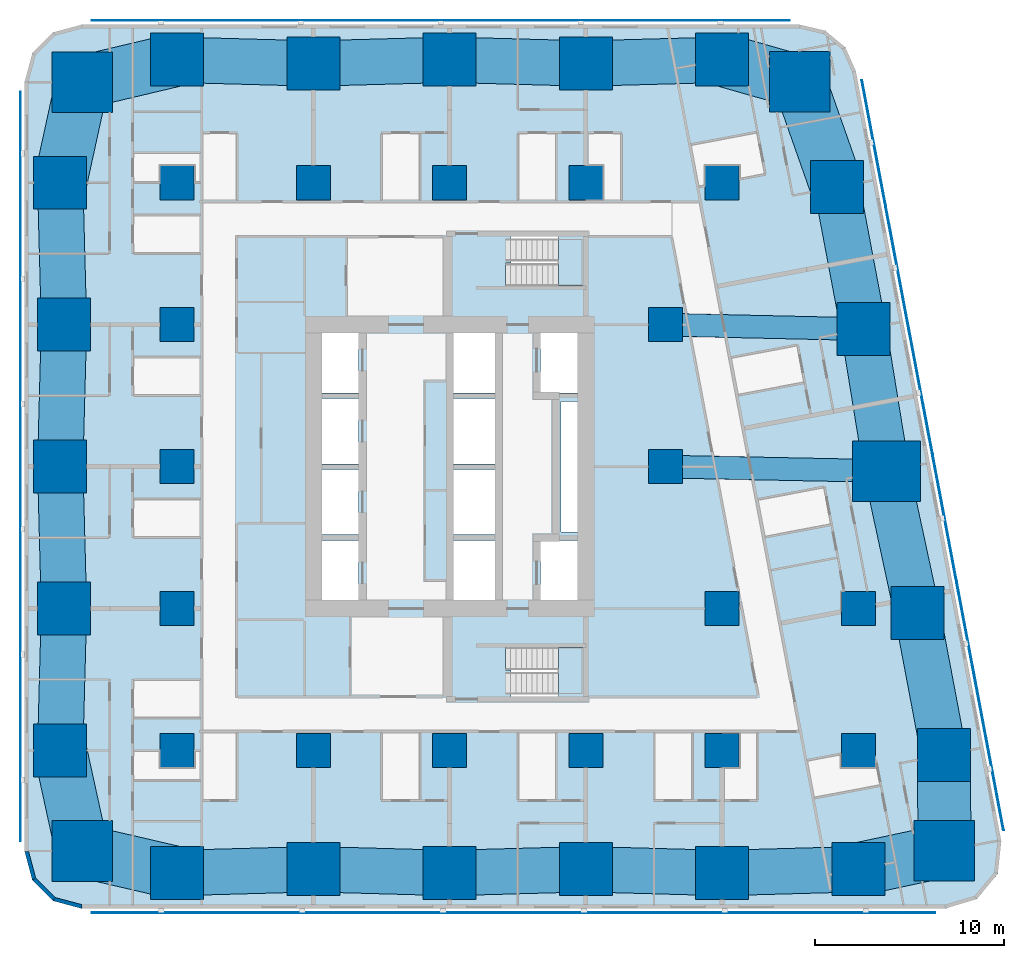
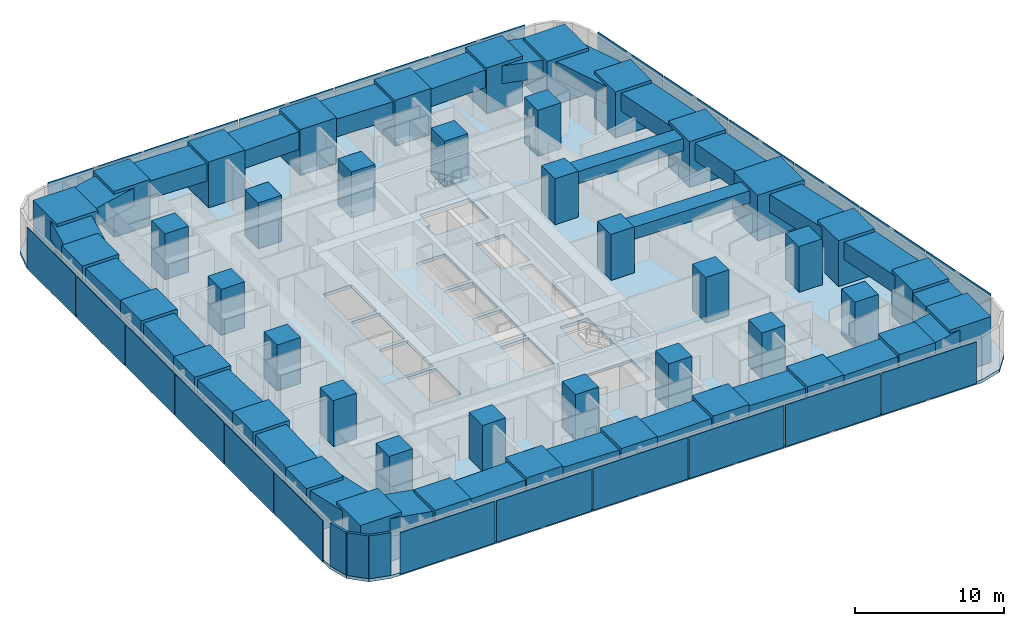
# One storey, part 1 of 15: 43 columns, 27 beams, 23 plates, 3 slabs, 3 walls, 2 elements without a shape of their own.
"""IFC4 building model written with IfcOpenShell, lengths in metres."""

from ifc_helpers import new_model, si_unit, direction, frame, frame_2d, origin, origin_2d, place, context, subcontext, project, spatial, polyline, rectangle, outline, extrude, material, layer, layer_set, material_profile, profile_set, type_object, element, aggregate, save


model = new_model("IFC4")

# Units and contexts
model_context = context("Model", 3, precision=1e-05, world=origin(), true_north=direction((0.0, 1.0)))
body_context = subcontext(model_context, "Body", "Model", "MODEL_VIEW")
ifc_project = project(units=[si_unit("LENGTHUNIT", "METRE"), si_unit("AREAUNIT", "SQUARE_METRE"), si_unit("VOLUMEUNIT", "CUBIC_METRE"), si_unit("PLANEANGLEUNIT", "RADIAN"), si_unit("MASSUNIT", "GRAM", prefix="KILO")], contexts=[model_context])

# Site, building, storey
site_placement = place(None, origin())
site = spatial("IfcSite", under=ifc_project, at=site_placement, CompositionType="ELEMENT")
building_placement = place(site_placement, origin())
building = spatial("IfcBuilding", under=site, at=building_placement, Name="Sheger Commons Tower", CompositionType="ELEMENT")
storey_placement = place(building_placement, frame((0.0, 0.0, 46.25)))
storey = spatial("IfcBuildingStorey", under=building, at=storey_placement, Name="L11", CompositionType="ELEMENT", Elevation=46.25)

# Columns
ifc_material_1 = material(Name="Concrete C50/60", Category="concrete")
ifc_material_profile_1 = material_profile(ifc_material_1, rectangle(XDim=3.60009765625, YDim=3.199951171875, at=origin_2d()), Name="RC 3600x3200")
ifc_profile_set_1 = profile_set([ifc_material_profile_1], Name="Concrete C50/60")
column_type_1 = type_object("IfcColumnType", Name="COLUMN PIER RC 3600x3200", PredefinedType="COLUMN", material=ifc_profile_set_1)
column_placement = place(storey_placement, frame((44.697021484375, 22.262939453125, 0.0), z_axis=(0.0, 0.0, 1.0), x_axis=(1.0, 0.0, 0.0)))
element("IfcColumn", 1, at=column_placement, inside=storey, type_object=column_type_1, Name="Pier 7/D+E/D L11", PredefinedType="COLUMN", context=body_context, shape_type="SweptSolid", body=[
    extrude(rectangle(XDim=3.60009765625, YDim=3.199951171875, at=origin_2d()), origin(), (0.0, 0.0, 1.0), 3.75),
])
ifc_material_2 = material(Name="Concrete C50/60", Category="concrete")
ifc_material_profile_2 = material_profile(ifc_material_2, rectangle(XDim=1.800048828125, YDim=1.800048828125, at=origin_2d()), Name="RC 1800x1800")
ifc_profile_set_2 = profile_set([ifc_material_profile_2], Name="Concrete C50/60")
column_type_2 = type_object("IfcColumnType", Name="COLUMN RC 1800x1800", PredefinedType="COLUMN", material=ifc_profile_set_2)
for number, where, z_axis, x_axis, name in (
    (2, (7.199951171875, 7.5, 0.0), (0.0, 0.0, 1.0), (1.0, 0.0, 0.0), "Column 2/B L11"),
    (3, (14.39990234375, 7.5, 0.0), (0.0, 0.0, 1.0), (1.0, 0.0, 0.0), "Column 3/B L11"),
    (4, (21.60009765625, 7.5, 0.0), (0.0, 0.0, 1.0), (1.0, 0.0, 0.0), "Column 4/B L11"),
    (5, (28.800048828125, 7.5, 0.0), (0.0, 0.0, 1.0), (1.0, 0.0, 0.0), "Column 5/B L11"),
    (6, (36.0, 7.5, 0.0), (0.0, 0.0, 1.0), (1.0, 0.0, 0.0), "Column 6/B L11"),
    (7, (43.199951171875, 7.5, 0.0), (0.0, 0.0, 1.0), (1.0, 0.0, 0.0), "Column 7/B L11"),
    (8, (7.199951171875, 15.0, 0.0), (0.0, 0.0, 1.0), (1.0, 0.0, 0.0), "Column 2/C L11"),
    (9, (36.0, 15.0, 0.0), (0.0, 0.0, 1.0), (1.0, 0.0, 0.0), "Column 6/C L11"),
    (10, (43.199951171875, 15.0, 0.0), (0.0, 0.0, 1.0), (1.0, 0.0, 0.0), "Column 7/C L11"),
    (11, (7.199951171875, 22.5, 0.0), (0.0, 0.0, 1.0), (1.0, 0.0, 0.0), "Column 2/D L11"),
    (12, (33.0, 22.5, 0.0), (0.0, 0.0, 1.0), (1.0, 0.0, 0.0), "Column 6-3000/D L11"),
    (13, (7.199951171875, 30.0, 0.0), (0.0, 0.0, 1.0), (1.0, 0.0, 0.0), "Column 2/E L11"),
    (14, (33.0, 30.0, 0.0), (0.0, 0.0, 1.0), (1.0, 0.0, 0.0), "Column 6-3000/E L11"),
    (15, (7.199951171875, 37.5, 0.0), (0.0, 0.0, 1.0), (1.0, 0.0, 0.0), "Column 2/F L11"),
    (16, (14.39990234375, 37.5, 0.0), (0.0, 0.0, 1.0), (1.0, 0.0, 0.0), "Column 3/F L11"),
    (17, (21.60009765625, 37.5, 0.0), (0.0, 0.0, 1.0), (1.0, 0.0, 0.0), "Column 4/F L11"),
    (18, (28.800048828125, 37.5, 0.0), (0.0, 0.0, 1.0), (1.0, 0.0, 0.0), "Column 5/F L11"),
    (19, (36.0, 37.5, 0.0), (0.0, 0.0, 1.0), (1.0, 0.0, 0.0), "Column 6/F L11"),
):
    element("IfcColumn", number, at=place(storey_placement, frame(where, z_axis=z_axis, x_axis=x_axis)), inside=storey, type_object=column_type_2, Name=name, PredefinedType="COLUMN", context=body_context, shape_type="SweptSolid", body=[
        extrude(rectangle(XDim=1.800048828125, YDim=1.800048828125, at=origin_2d()), origin(), (0.0, 0.0, 1.0), 3.75),
    ])
ifc_material_3 = material(Name="Concrete C50/60", Category="concrete")
ifc_material_profile_3 = material_profile(ifc_material_3, rectangle(XDim=2.800048828125, YDim=2.800048828125, at=origin_2d()), Name="RC 2800x2800")
ifc_profile_set_3 = profile_set([ifc_material_profile_3], Name="Concrete C50/60")
column_type_3 = type_object("IfcColumnType", Name="COLUMN RC 2800x2800", PredefinedType="COLUMN", material=ifc_profile_set_3)
for number, where, z_axis, x_axis, name in (
    (20, (7.199951171875, 1.02490234375, 0.0), (0.0, 0.0, 1.0), (1.0, 0.0, 0.0), "Column 2/A L11"),
    (21, (14.39990234375, 1.22509765625, 0.0), (0.0, 0.0, 1.0), (1.0, 0.0, 0.0), "Column 3/A L11"),
    (22, (21.60009765625, 1.02490234375, 0.0), (0.0, 0.0, 1.0), (1.0, 0.0, 0.0), "Column 4/A L11"),
    (23, (28.800048828125, 1.22509765625, 0.0), (0.0, 0.0, 1.0), (1.0, 0.0, 0.0), "Column 5/A L11"),
    (24, (36.0, 1.02490234375, 0.0), (0.0, 0.0, 1.0), (1.0, 0.0, 0.0), "Column 6/A L11"),
    (25, (43.199951171875, 1.22509765625, 0.0), (0.0, 0.0, 1.0), (1.0, 0.0, 0.0), "Column 7/A L11"),
    (26, (1.02490234375, 7.5, 0.0), (0.0, 0.0, 1.0), (1.0, 0.0, 0.0), "Column 1/B L11"),
    (27, (47.72998046875, 7.262939453125, 0.0), (0.0, 0.0, 1.0), (1.0, 0.0, 0.0), "Column E/B L11"),
    (28, (1.22509765625, 15.0, 0.0), (0.0, 0.0, 1.0), (1.0, 0.0, 0.0), "Column 1/C L11"),
    (29, (46.31396484375, 14.762939453125, 0.0), (0.0, 0.0, 1.0), (1.0, 0.0, 0.0), "Column E/C L11"),
    (30, (1.02490234375, 22.5, 0.0), (0.0, 0.0, 1.0), (1.0, 0.0, 0.0), "Column 1/D L11"),
    (31, (1.22509765625, 30.0, 0.0), (0.0, 0.0, 1.0), (1.0, 0.0, 0.0), "Column 1/E L11"),
    (32, (43.47998046875, 29.762939453125, 0.0), (0.0, 0.0, 1.0), (1.0, 0.0, 0.0), "Column E/E L11"),
    (33, (1.02490234375, 37.5, 0.0), (0.0, 0.0, 1.0), (1.0, 0.0, 0.0), "Column 1/F L11"),
    (34, (42.06396484375, 37.262939453125, 0.0), (0.0, 0.0, 1.0), (1.0, 0.0, 0.0), "Column E/F L11"),
    (35, (7.199951171875, 44.0, 0.0), (0.0, 0.0, 1.0), (1.0, 0.0, 0.0), "Column 2/G L11"),
    (36, (14.39990234375, 43.800048828125, 0.0), (0.0, 0.0, 1.0), (1.0, 0.0, 0.0), "Column 3/G L11"),
    (37, (21.60009765625, 44.0, 0.0), (0.0, 0.0, 1.0), (1.0, 0.0, 0.0), "Column 4/G L11"),
    (38, (28.800048828125, 43.800048828125, 0.0), (0.0, 0.0, 1.0), (1.0, 0.0, 0.0), "Column 5/G L11"),
    (39, (36.0, 44.0, 0.0), (0.0, 0.0, 1.0), (1.0, 0.0, 0.0), "Column 6/G L11"),
):
    element("IfcColumn", number, at=place(storey_placement, frame(where, z_axis=z_axis, x_axis=x_axis)), inside=storey, type_object=column_type_3, Name=name, PredefinedType="COLUMN", context=body_context, shape_type="SweptSolid", body=[
        extrude(rectangle(XDim=2.800048828125, YDim=2.800048828125, at=origin_2d()), origin(), (0.0, 0.0, 1.0), 3.75),
    ])
ifc_material_4 = material(Name="Concrete C50/60", Category="concrete")
ifc_material_profile_4 = material_profile(ifc_material_4, rectangle(XDim=3.199951171875, YDim=3.199951171875, at=origin_2d()), Name="RC 3200x3200")
ifc_profile_set_4 = profile_set([ifc_material_profile_4], Name="Concrete C50/60")
column_type_4 = type_object("IfcColumnType", Name="COLUMN RC 3200x3200", PredefinedType="COLUMN", material=ifc_profile_set_4)
for number, where, z_axis, x_axis, name in (
    (40, (2.18603515625, 2.18603515625, 0.0), (0.0, 0.0, 1.0), (1.0, 0.0, 0.0), "Column 0.630,0.630 L11"),
    (41, (47.748046875, 2.197021484375, 0.0), (0.0, 0.0, 1.0), (1.0, 0.0, 0.0), "Column 49.461,0.778 L11"),
    (42, (2.18603515625, 42.81396484375, 0.0), (0.0, 0.0, 1.0), (1.0, 0.0, 0.0), "Column 0.630,44.370 L11"),
    (43, (40.10205078125, 42.830078125, 0.0), (0.0, 0.0, 1.0), (1.0, 0.0, 0.0), "Column 41.490,44.505 L11"),
):
    element("IfcColumn", number, at=place(storey_placement, frame(where, z_axis=z_axis, x_axis=x_axis)), inside=storey, type_object=column_type_4, Name=name, PredefinedType="COLUMN", context=body_context, shape_type="SweptSolid", body=[
        extrude(rectangle(XDim=3.199951171875, YDim=3.199951171875, at=origin_2d()), origin(), (0.0, 0.0, 1.0), 3.75),
    ])

# Beams
ifc_material_5 = material(Name="Concrete C50/60", Category="concrete")
ifc_material_profile_5 = material_profile(ifc_material_5, rectangle(XDim=1.199951171875, YDim=1.0, at=origin_2d()), Name="RC 1200x1000")
ifc_profile_set_5 = profile_set([ifc_material_profile_5], Name="Concrete C50/60")
beam_type_1 = type_object("IfcBeamType", Name="BEAM RC 1200x1000", PredefinedType="BEAM", material=ifc_profile_set_5)
beam_1_placement = place(storey_placement, frame((33.0, 22.5, 3.0), z_axis=(0.999794692776, -0.02026258368, 0.0), x_axis=(0.02026258368, 0.999794692776, 0.0)))
element("IfcBeam", 44, at=beam_1_placement, inside=storey, type_object=beam_type_1, Name="Beam 6-3000/D-7/D under L12", PredefinedType="BEAM", context=body_context, shape_type="SweptSolid", body=[
    extrude(rectangle(XDim=1.199951171875, YDim=1.0, at=origin_2d()), origin(), (0.0, 0.0, 1.0), 11.699462890625),
])
beam_2_placement = place(storey_placement, frame((33.0, 30.0, 3.0), z_axis=(0.999744258625, -0.022614538395, 0.0), x_axis=(0.022614538395, 0.999744258625, 0.0)))
element("IfcBeam", 45, at=beam_2_placement, inside=storey, type_object=beam_type_1, Name="Beam 6-3000/E-E/E under L12", PredefinedType="BEAM", context=body_context, shape_type="SweptSolid", body=[
    extrude(rectangle(XDim=1.199951171875, YDim=1.0, at=origin_2d()), origin(), (0.0, 0.0, 1.0), 10.482666015625),
])
ifc_material_6 = material(Name="Concrete C50/60", Category="concrete")
ifc_material_profile_6 = material_profile(ifc_material_6, rectangle(XDim=2.39990234375, YDim=1.449951171875, at=origin_2d()), Name="RC 2400x1450")
ifc_profile_set_6 = profile_set([ifc_material_profile_6], Name="Concrete C50/60")
beam_type_2 = type_object("IfcBeamType", Name="SPANDREL RC 2400x1450", PredefinedType="SPANDREL", material=ifc_profile_set_6)
beam_3_placement = place(storey_placement, frame((7.199951171875, 1.02490234375, 2.77490234375), z_axis=(0.9996136624, 0.027794350926, 0.0), x_axis=(-0.027794350926, 0.9996136624, 0.0)))
element("IfcBeam", 46, at=beam_3_placement, inside=storey, type_object=beam_type_2, Name="Beam 2/A-3/A under L12", PredefinedType="SPANDREL", context=body_context, shape_type="SweptSolid", body=[
    extrude(rectangle(XDim=2.39990234375, YDim=1.449951171875, at=origin_2d()), origin(), (0.0, 0.0, 1.0), 7.20263671875),
])
beam_4_placement = place(storey_placement, frame((14.39990234375, 1.22509765625, 2.77490234375), z_axis=(0.999613688584, -0.027793409217, 0.0), x_axis=(0.027793409217, 0.999613688584, 0.0)))
element("IfcBeam", 47, at=beam_4_placement, inside=storey, type_object=beam_type_2, Name="Beam 3/A-4/A under L12", PredefinedType="SPANDREL", context=body_context, shape_type="SweptSolid", body=[
    extrude(rectangle(XDim=2.39990234375, YDim=1.449951171875, at=origin_2d()), origin(), (0.0, 0.0, 1.0), 7.202880859375),
])
for number, where, z_axis, x_axis, name in (
    (48, (21.60009765625, 1.02490234375, 2.77490234375), (0.9996136624, 0.027794350926, 0.0), (-0.027794350926, 0.9996136624, 0.0), "Beam 4/A-5/A under L12"),
    (49, (28.800048828125, 1.22509765625, 2.77490234375), (0.9996136624, -0.027794350926, 0.0), (0.027794350926, 0.9996136624, 0.0), "Beam 5/A-6/A under L12"),
    (50, (36.0, 1.02490234375, 2.77490234375), (0.9996136624, 0.027794350926, 0.0), (-0.027794350926, 0.9996136624, 0.0), "Beam 6/A-7/A under L12"),
):
    element("IfcBeam", number, at=place(storey_placement, frame(where, z_axis=z_axis, x_axis=x_axis)), inside=storey, type_object=beam_type_2, Name=name, PredefinedType="SPANDREL", context=body_context, shape_type="SweptSolid", body=[
        extrude(rectangle(XDim=2.39990234375, YDim=1.449951171875, at=origin_2d()), origin(), (0.0, 0.0, 1.0), 7.20263671875),
    ])
beam_5_placement = place(storey_placement, frame((47.72998046875, 7.262939453125, 2.77490234375), z_axis=(-0.18552441405, 0.982639655108, 0.0), x_axis=(-0.982639655108, -0.18552441405, 0.0)))
element("IfcBeam", 51, at=beam_5_placement, inside=storey, type_object=beam_type_2, Name="Beam E/B-E/C under L12", PredefinedType="SPANDREL", context=body_context, shape_type="SweptSolid", body=[
    extrude(rectangle(XDim=2.39990234375, YDim=1.449951171875, at=origin_2d()), origin(), (0.0, 0.0, 1.0), 7.632568359375),
])
beam_6_placement = place(storey_placement, frame((46.31396484375, 14.762939453125, 2.77490234375), z_axis=(-0.210750229323, 0.977539943348, 0.0), x_axis=(-0.977539943348, -0.210750229323, 0.0)))
element("IfcBeam", 52, at=beam_6_placement, inside=storey, type_object=beam_type_2, Name="Beam E/C-E/D under L12", PredefinedType="SPANDREL", context=body_context, shape_type="SweptSolid", body=[
    extrude(rectangle(XDim=2.39990234375, YDim=1.449951171875, at=origin_2d()), origin(), (0.0, 0.0, 1.0), 7.67236328125),
])
beam_7_placement = place(storey_placement, frame((44.697021484375, 22.262939453125, 2.77490234375), z_axis=(-0.160176929512, 0.987088319884, 0.0), x_axis=(-0.987088319884, -0.160176929512, 0.0)))
element("IfcBeam", 53, at=beam_7_placement, inside=storey, type_object=beam_type_2, Name="Beam E/D-E/E under L12", PredefinedType="SPANDREL", context=body_context, shape_type="SweptSolid", body=[
    extrude(rectangle(XDim=2.39990234375, YDim=1.449951171875, at=origin_2d()), origin(), (0.0, 0.0, 1.0), 7.59814453125),
])
beam_8_placement = place(storey_placement, frame((43.47998046875, 29.762939453125, 2.77490234375), z_axis=(-0.18552441405, 0.982639655108, 0.0), x_axis=(-0.982639655108, -0.18552441405, 0.0)))
element("IfcBeam", 54, at=beam_8_placement, inside=storey, type_object=beam_type_2, Name="Beam E/E-E/F under L12", PredefinedType="SPANDREL", context=body_context, shape_type="SweptSolid", body=[
    extrude(rectangle(XDim=2.39990234375, YDim=1.449951171875, at=origin_2d()), origin(), (0.0, 0.0, 1.0), 7.632568359375),
])
for number, where, z_axis, x_axis, name in (
    (55, (36.0, 44.0, 2.77490234375), (-0.999614603568, -0.027760481514, 0.0), (0.027760481514, -0.999614603568, 0.0), "Beam 6/G-5/G under L12"),
    (56, (28.800048828125, 43.800048828125, 2.77490234375), (-0.999614603568, 0.027760481514, 0.0), (-0.027760481514, -0.999614603568, 0.0), "Beam 5/G-4/G under L12"),
):
    element("IfcBeam", number, at=place(storey_placement, frame(where, z_axis=z_axis, x_axis=x_axis)), inside=storey, type_object=beam_type_2, Name=name, PredefinedType="SPANDREL", context=body_context, shape_type="SweptSolid", body=[
        extrude(rectangle(XDim=2.39990234375, YDim=1.449951171875, at=origin_2d()), origin(), (0.0, 0.0, 1.0), 7.20263671875),
    ])
beam_9_placement = place(storey_placement, frame((21.60009765625, 44.0, 2.77490234375), z_axis=(-0.999614629688, -0.027759540951, 0.0), x_axis=(0.027759540951, -0.999614629688, 0.0)))
element("IfcBeam", 57, at=beam_9_placement, inside=storey, type_object=beam_type_2, Name="Beam 4/G-3/G under L12", PredefinedType="SPANDREL", context=body_context, shape_type="SweptSolid", body=[
    extrude(rectangle(XDim=2.39990234375, YDim=1.449951171875, at=origin_2d()), origin(), (0.0, 0.0, 1.0), 7.202880859375),
])
beam_10_placement = place(storey_placement, frame((14.39990234375, 43.800048828125, 2.77490234375), z_axis=(-0.999614603568, 0.027760481514, 0.0), x_axis=(-0.027760481514, -0.999614603568, 0.0)))
element("IfcBeam", 58, at=beam_10_placement, inside=storey, type_object=beam_type_2, Name="Beam 3/G-2/G under L12", PredefinedType="SPANDREL", context=body_context, shape_type="SweptSolid", body=[
    extrude(rectangle(XDim=2.39990234375, YDim=1.449951171875, at=origin_2d()), origin(), (0.0, 0.0, 1.0), 7.20263671875),
])
for number, where, z_axis, x_axis, name in (
    (59, (1.02490234375, 37.5, 2.77490234375), (0.026683204125, -0.999643939919, 0.0), (0.999643939919, 0.026683204125, 0.0), "Beam 1/F-1/E under L12"),
    (60, (1.22509765625, 30.0, 2.77490234375), (-0.026683204125, -0.999643939919, 0.0), (0.999643939919, -0.026683204125, 0.0), "Beam 1/E-1/D under L12"),
    (61, (1.02490234375, 22.5, 2.77490234375), (0.026683204125, -0.999643939919, 0.0), (0.999643939919, 0.026683204125, 0.0), "Beam 1/D-1/C under L12"),
    (62, (1.22509765625, 15.0, 2.77490234375), (-0.026683204125, -0.999643939919, 0.0), (0.999643939919, -0.026683204125, 0.0), "Beam 1/C-1/B under L12"),
):
    element("IfcBeam", number, at=place(storey_placement, frame(where, z_axis=z_axis, x_axis=x_axis)), inside=storey, type_object=beam_type_2, Name=name, PredefinedType="SPANDREL", context=body_context, shape_type="SweptSolid", body=[
        extrude(rectangle(XDim=2.39990234375, YDim=1.449951171875, at=origin_2d()), origin(), (0.0, 0.0, 1.0), 7.502685546875),
    ])
ifc_material_7 = material(Name="Concrete C50/60", Category="concrete")
ifc_material_profile_7 = material_profile(ifc_material_7, rectangle(XDim=2.800048828125, YDim=1.449951171875, at=origin_2d()), Name="RC 2800x1450")
ifc_profile_set_7 = profile_set([ifc_material_profile_7], Name="Concrete C50/60")
beam_type_3 = type_object("IfcBeamType", Name="SPANDREL RC 2800x1450", PredefinedType="SPANDREL", material=ifc_profile_set_7)
beam_11_placement = place(storey_placement, frame((2.18603515625, 2.18603515625, 2.77490234375), z_axis=(0.974217413499, -0.225611239159, 0.0), x_axis=(0.225611239159, 0.974217413499, 0.0)))
element("IfcBeam", 63, at=beam_11_placement, inside=storey, type_object=beam_type_3, Name="Beam 0.630,0.630-2/A under L12", PredefinedType="SPANDREL", context=body_context, shape_type="SweptSolid", body=[
    extrude(rectangle(XDim=2.800048828125, YDim=1.449951171875, at=origin_2d()), origin(), (0.0, 0.0, 1.0), 5.146728515625),
])
beam_12_placement = place(storey_placement, frame((43.199951171875, 1.22509765625, 2.77490234375), z_axis=(0.977919796671, 0.208980552394, 0.0), x_axis=(-0.208980552394, 0.977919796671, 0.0)))
element("IfcBeam", 64, at=beam_12_placement, inside=storey, type_object=beam_type_3, Name="Beam 7/A-49.461,0.778 under L12", PredefinedType="SPANDREL", context=body_context, shape_type="SweptSolid", body=[
    extrude(rectangle(XDim=2.800048828125, YDim=1.449951171875, at=origin_2d()), origin(), (0.0, 0.0, 1.0), 4.65087890625),
])
beam_13_placement = place(storey_placement, frame((47.748046875, 2.197021484375, 2.77490234375), z_axis=(-0.003566242382, 0.999993640937, 0.0), x_axis=(-0.999993640937, -0.003566242382, 0.0)))
element("IfcBeam", 65, at=beam_13_placement, inside=storey, type_object=beam_type_3, Name="Beam 49.461,0.778-E/B under L12", PredefinedType="SPANDREL", context=body_context, shape_type="SweptSolid", body=[
    extrude(rectangle(XDim=2.800048828125, YDim=1.449951171875, at=origin_2d()), origin(), (0.0, 0.0, 1.0), 5.06591796875),
])
beam_14_placement = place(storey_placement, frame((42.06396484375, 37.262939453125, 2.77490234375), z_axis=(-0.332374403357, 0.943147526102, 0.0), x_axis=(-0.943147526102, -0.332374403357, 0.0)))
element("IfcBeam", 66, at=beam_14_placement, inside=storey, type_object=beam_type_3, Name="Beam E/F-41.490,44.505 under L12", PredefinedType="SPANDREL", context=body_context, shape_type="SweptSolid", body=[
    extrude(rectangle(XDim=2.800048828125, YDim=1.449951171875, at=origin_2d()), origin(), (0.0, 0.0, 1.0), 5.90283203125),
])
beam_15_placement = place(storey_placement, frame((40.10205078125, 42.830078125, 2.77490234375), z_axis=(-0.961653428129, 0.274267541221, 0.0), x_axis=(-0.274267541221, -0.961653428129, 0.0)))
element("IfcBeam", 67, at=beam_15_placement, inside=storey, type_object=beam_type_3, Name="Beam 41.490,44.505-6/G under L12", PredefinedType="SPANDREL", context=body_context, shape_type="SweptSolid", body=[
    extrude(rectangle(XDim=2.800048828125, YDim=1.449951171875, at=origin_2d()), origin(), (0.0, 0.0, 1.0), 4.265625),
])
beam_16_placement = place(storey_placement, frame((7.199951171875, 44.0, 2.77490234375), z_axis=(-0.97314428949, -0.230195985701, 0.0), x_axis=(0.230195985701, -0.97314428949, 0.0)))
element("IfcBeam", 68, at=beam_16_placement, inside=storey, type_object=beam_type_3, Name="Beam 2/G-0.630,44.370 under L12", PredefinedType="SPANDREL", context=body_context, shape_type="SweptSolid", body=[
    extrude(rectangle(XDim=2.800048828125, YDim=1.449951171875, at=origin_2d()), origin(), (0.0, 0.0, 1.0), 5.15234375),
])
for number, where, z_axis, x_axis, name in (
    (69, (2.18603515625, 42.81396484375, 2.77490234375), (-0.213469314652, -0.976949769283, 0.0), (0.976949769283, -0.213469314652, 0.0), "Beam 0.630,44.370-1/F under L12"),
    (70, (1.02490234375, 7.5, 2.77490234375), (0.213469314652, -0.976949769283, 0.0), (0.976949769283, 0.213469314652, 0.0), "Beam 1/B-0.630,0.630 under L12"),
):
    element("IfcBeam", number, at=place(storey_placement, frame(where, z_axis=z_axis, x_axis=x_axis)), inside=storey, type_object=beam_type_3, Name=name, PredefinedType="SPANDREL", context=body_context, shape_type="SweptSolid", body=[
        extrude(rectangle(XDim=2.800048828125, YDim=1.449951171875, at=origin_2d()), origin(), (0.0, 0.0, 1.0), 5.439453125),
    ])

# Slab
ifc_material_8 = material(Name="Concrete C35/45", Category="concrete")
ifc_layer_1 = layer(ifc_material_8, 0.25)
ifc_layer_set_1 = layer_set([ifc_layer_1], Name="SLAB FLOOR 250")
slab_type_1 = type_object("IfcSlabType", Name="SLAB FLOOR 250", PredefinedType="FLOOR", material=ifc_layer_set_1)
slab_1_placement = place(storey_placement, frame((0.0, 0.0, -0.25)))
element("IfcSlab", 71, at=slab_1_placement, inside=storey, type_object=slab_type_1, Name="L11 floor slab", PredefinedType="FLOOR", context=body_context, shape_type="SweptSolid", body=[
    extrude(outline(polyline([(-0.85009765625, 2.14990234375), (-0.447998046875, 0.64990234375), (0.64990234375, -0.447998046875), (2.14990234375, -0.85009765625), (47.805908203125, -0.85009765625), (49.465087890625, -0.35009765625), (50.570068359375, 0.98388671875), (50.75390625, 2.70703125), (43.06591796875, 43.406982421875), (42.509033203125, 44.660888671875), (41.452880859375, 45.535888671875), (40.117919921875, 45.85009765625), (2.14990234375, 45.85009765625), (0.64990234375, 45.447998046875), (-0.447998046875, 44.35009765625), (-0.85009765625, 42.85009765625), (-0.85009765625, 2.14990234375)]), holes=[polyline([(24.85009765625, 10.35009765625), (28.64990234375, 10.35009765625), (28.64990234375, 12.949951171875), (24.551025390625, 12.949951171875), (24.551025390625, 11.75), (24.85009765625, 11.75), (24.85009765625, 10.35009765625)]), polyline([(24.551025390625, 32.050048828125), (28.64990234375, 32.050048828125), (28.64990234375, 34.64990234375), (24.85009765625, 34.64990234375), (24.85009765625, 33.25), (24.551025390625, 33.25), (24.551025390625, 32.050048828125)]), polyline([(26.39990234375, 15.14990234375), (28.60009765625, 15.14990234375), (28.60009765625, 18.60009765625), (26.39990234375, 18.60009765625), (26.39990234375, 15.14990234375)]), polyline([(26.39990234375, 26.39990234375), (28.60009765625, 26.39990234375), (28.60009765625, 29.85009765625), (26.39990234375, 29.85009765625), (26.39990234375, 26.39990234375)]), polyline([(14.60009765625, 15.14990234375), (16.800048828125, 15.14990234375), (16.800048828125, 18.60009765625), (14.60009765625, 18.60009765625), (14.60009765625, 15.14990234375)]), polyline([(14.60009765625, 18.89990234375), (16.800048828125, 18.89990234375), (16.800048828125, 22.35009765625), (14.60009765625, 22.35009765625), (14.60009765625, 18.89990234375)]), polyline([(14.60009765625, 22.64990234375), (16.800048828125, 22.64990234375), (16.800048828125, 26.10009765625), (14.60009765625, 26.10009765625), (14.60009765625, 22.64990234375)]), polyline([(14.60009765625, 26.39990234375), (16.800048828125, 26.39990234375), (16.800048828125, 29.85009765625), (14.60009765625, 29.85009765625), (14.60009765625, 26.39990234375)]), polyline([(21.800048828125, 15.14990234375), (24.0, 15.14990234375), (24.0, 18.60009765625), (21.800048828125, 18.60009765625), (21.800048828125, 15.14990234375)]), polyline([(21.800048828125, 18.89990234375), (24.0, 18.89990234375), (24.0, 22.35009765625), (21.800048828125, 22.35009765625), (21.800048828125, 18.89990234375)]), polyline([(21.800048828125, 22.64990234375), (24.0, 22.64990234375), (24.0, 26.10009765625), (21.800048828125, 26.10009765625), (21.800048828125, 22.64990234375)]), polyline([(21.800048828125, 26.39990234375), (24.0, 26.39990234375), (24.0, 29.85009765625), (21.800048828125, 29.85009765625), (21.800048828125, 26.39990234375)]), polyline([(27.5, 19.050048828125), (28.5, 19.050048828125), (28.5, 25.949951171875), (27.5, 25.949951171875), (27.5, 19.050048828125)])]), origin(), (0.0, 0.0, 1.0), 0.25),
])

# Plates
ifc_material_9 = material(Name="Perforated black anodised aluminium screen", Category="aluminium")
ifc_layer_2 = layer(ifc_material_9, 0.050048828125)
ifc_layer_set_2 = layer_set([ifc_layer_2], Name="SOLAR SCREEN SCREEN-1")
plate_type = type_object("IfcPlateType", Name="SOLAR SCREEN SCREEN-1", PredefinedType="USERDEFINED", material=ifc_layer_set_2)
for number, where, z_axis, x_axis, name in (
    (72, (6.37109375, -1.074951171875, 0.050048828125), (0.0, 0.0, 1.0), (1.0, 0.0, 0.0), "Perforated solar screen panel"),
    (73, (13.81396484375, -1.074951171875, 0.050048828125), (0.0, 0.0, 1.0), (1.0, 0.0, 0.0), "Perforated solar screen panel"),
    (74, (21.257080078125, -1.074951171875, 0.050048828125), (0.0, 0.0, 1.0), (1.0, 0.0, 0.0), "Perforated solar screen panel"),
    (75, (28.698974609375, -1.074951171875, 0.050048828125), (0.0, 0.0, 1.0), (1.0, 0.0, 0.0), "Perforated solar screen panel"),
    (76, (36.14208984375, -1.074951171875, 0.050048828125), (0.0, 0.0, 1.0), (1.0, 0.0, 0.0), "Perforated solar screen panel"),
    (77, (43.5849609375, -1.074951171875, 0.050048828125), (0.0, 0.0, 1.0), (1.0, 0.0, 0.0), "Perforated solar screen panel"),
):
    element("IfcPlate", number, at=place(storey_placement, frame(where, z_axis=z_axis, x_axis=x_axis)), inside=storey, type_object=plate_type, Name=name, ObjectType="SCREEN", PredefinedType="USERDEFINED", context=body_context, shape_type="SweptSolid", body=[
        extrude(rectangle(XDim=7.343017578125, YDim=0.050048828125, at=origin_2d()), origin(), (0.0, 0.0, 1.0), 3.39990234375),
    ])
for number, where, z_axis, x_axis, name in (
    (78, (50.257080078125, 6.550048828125, 0.050048828125), (0.0, 0.0, 1.0), (-0.185615165645, 0.982622516678, 0.0), "Perforated solar screen panel"),
    (79, (49.007080078125, 13.1689453125, 0.050048828125), (0.0, 0.0, 1.0), (-0.185615165645, 0.982622516678, 0.0), "Perforated solar screen panel"),
    (80, (47.756103515625, 19.7890625, 0.050048828125), (0.0, 0.0, 1.0), (-0.185615165645, 0.982622516678, 0.0), "Perforated solar screen panel"),
    (81, (46.506103515625, 26.408935546875, 0.050048828125), (0.0, 0.0, 1.0), (-0.185615165645, 0.982622516678, 0.0), "Perforated solar screen panel"),
    (82, (45.2548828125, 33.028076171875, 0.050048828125), (0.0, 0.0, 1.0), (-0.185615165645, 0.982622516678, 0.0), "Perforated solar screen panel"),
    (83, (44.0048828125, 39.64794921875, 0.050048828125), (0.0, 0.0, 1.0), (-0.185615165645, 0.982622516678, 0.0), "Perforated solar screen panel"),
):
    element("IfcPlate", number, at=place(storey_placement, frame(where, z_axis=z_axis, x_axis=x_axis)), inside=storey, type_object=plate_type, Name=name, ObjectType="SCREEN", PredefinedType="USERDEFINED", context=body_context, shape_type="SweptSolid", body=[
        extrude(rectangle(XDim=6.636962890625, YDim=0.050048828125, at=origin_2d()), origin(), (0.0, 0.0, 1.0), 3.39990234375),
    ])
for number, where, z_axis, x_axis, name in (
    (84, (35.9208984375, 46.074951171875, 0.050048828125), (0.0, 0.0, 1.0), (-1.0, 0.0, 0.0), "Perforated solar screen panel"),
    (85, (28.528076171875, 46.074951171875, 0.050048828125), (0.0, 0.0, 1.0), (-1.0, 0.0, 0.0), "Perforated solar screen panel"),
    (86, (21.134033203125, 46.074951171875, 0.050048828125), (0.0, 0.0, 1.0), (-1.0, 0.0, 0.0), "Perforated solar screen panel"),
    (87, (13.739990234375, 46.074951171875, 0.050048828125), (0.0, 0.0, 1.0), (-1.0, 0.0, 0.0), "Perforated solar screen panel"),
    (88, (6.346923828125, 46.074951171875, 0.050048828125), (0.0, 0.0, 1.0), (-1.0, 0.0, 0.0), "Perforated solar screen panel"),
):
    element("IfcPlate", number, at=place(storey_placement, frame(where, z_axis=z_axis, x_axis=x_axis)), inside=storey, type_object=plate_type, Name=name, ObjectType="SCREEN", PredefinedType="USERDEFINED", context=body_context, shape_type="SweptSolid", body=[
        extrude(rectangle(XDim=7.2939453125, YDim=0.050048828125, at=origin_2d()), origin(), (0.0, 0.0, 1.0), 3.39990234375),
    ])
for number, where, z_axis, x_axis, name in (
    (89, (-1.074951171875, 39.0419921875, 0.050048828125), (0.0, 0.0, 1.0), (0.0, -1.0, 0.0), "Perforated solar screen panel"),
    (90, (-1.074951171875, 32.425048828125, 0.050048828125), (0.0, 0.0, 1.0), (0.0, -1.0, 0.0), "Perforated solar screen panel"),
    (91, (-1.074951171875, 25.80810546875, 0.050048828125), (0.0, 0.0, 1.0), (0.0, -1.0, 0.0), "Perforated solar screen panel"),
    (92, (-1.074951171875, 19.19189453125, 0.050048828125), (0.0, 0.0, 1.0), (0.0, -1.0, 0.0), "Perforated solar screen panel"),
    (93, (-1.074951171875, 12.574951171875, 0.050048828125), (0.0, 0.0, 1.0), (0.0, -1.0, 0.0), "Perforated solar screen panel"),
    (94, (-1.074951171875, 5.9580078125, 0.050048828125), (0.0, 0.0, 1.0), (0.0, -1.0, 0.0), "Perforated solar screen panel"),
):
    element("IfcPlate", number, at=place(storey_placement, frame(where, z_axis=z_axis, x_axis=x_axis)), inside=storey, type_object=plate_type, Name=name, ObjectType="SCREEN", PredefinedType="USERDEFINED", context=body_context, shape_type="SweptSolid", body=[
        extrude(rectangle(XDim=6.51708984375, YDim=0.050048828125, at=origin_2d()), origin(), (0.0, 0.0, 1.0), 3.39990234375),
    ])

# Stair, slab
ifc_material_10 = material(Name="Concrete C35/45", Category="concrete")
stair_type = type_object("IfcStairType", Name="HALF-TURN STAIR 1200 RISE 3750", PredefinedType="HALF_TURN_STAIR", material=ifc_material_10)
stair_1_placement = place(storey_placement, origin())
stair_1 = element("IfcStair", 95, at=stair_1_placement, inside=storey, type_object=stair_type, Name="Stair S1 L11", PredefinedType="HALF_TURN_STAIR")
ifc_material_11 = material(Name="Concrete C35/45", Category="concrete")
ifc_layer_3 = layer(ifc_material_11, 0.199951171875)
ifc_layer_set_3 = layer_set([ifc_layer_3], Name="STAIR LANDING 200")
slab_type_2 = type_object("IfcSlabType", Name="STAIR LANDING 200", PredefinedType="LANDING", material=ifc_layer_set_3)
slab_2_placement = place(storey_placement, frame((0.0, 0.0, 1.675048828125)))
slab_2 = element("IfcSlab", 96, at=slab_2_placement, type_object=slab_type_2, Name="S1 landing 1", PredefinedType="LANDING", context=body_context, shape_type="SweptSolid", body=[
    extrude(outline(polyline([(27.35009765625, 10.199951171875), (28.800048828125, 10.199951171875), (28.800048828125, 12.949951171875), (27.35009765625, 12.949951171875), (27.35009765625, 10.199951171875)])), origin(), (0.0, 0.0, 1.0), 0.199951171875),
])
aggregate(stair_1, [slab_2])

stair_2_placement = place(storey_placement, origin())
stair_2 = element("IfcStair", 97, at=stair_2_placement, inside=storey, type_object=stair_type, Name="Stair S2 L11", PredefinedType="HALF_TURN_STAIR")
slab_3_placement = place(storey_placement, frame((0.0, 0.0, 1.675048828125)))
slab_3 = element("IfcSlab", 98, at=slab_3_placement, type_object=slab_type_2, Name="S2 landing 1", PredefinedType="LANDING", context=body_context, shape_type="SweptSolid", body=[
    extrude(outline(polyline([(27.35009765625, 32.050048828125), (28.800048828125, 32.050048828125), (28.800048828125, 34.800048828125), (27.35009765625, 34.800048828125), (27.35009765625, 32.050048828125)])), origin(), (0.0, 0.0, 1.0), 0.199951171875),
])
aggregate(stair_2, [slab_3])

# Walls
ifc_material_12 = material(Name="Rendered concrete block masonry, dark grey", Category="masonry")
ifc_layer_4 = layer(ifc_material_12, 0.199951171875)
ifc_layer_set_4 = layer_set([ifc_layer_4], Name="FACADE WALL 200")
wall_type = type_object("IfcWallType", Name="FACADE WALL 200", PredefinedType="SOLIDWALL", material=ifc_layer_set_4)
wall_1_placement = place(storey_placement, frame((-0.75, 2.1630859375, 0.0), z_axis=(0.0, 0.0, 1.0), x_axis=(0.259168954497, -0.965832000415, 0.0)))
element("IfcWall", 99, at=wall_1_placement, inside=storey, type_object=wall_type, Name="Facade wall L11", PredefinedType="SOLIDWALL", context=body_context, shape_type="SweptSolid", body=[
    extrude(rectangle(XDim=1.512939453125, YDim=0.199951171875, at=frame_2d((0.75634765625, 0.0))), origin(), (0.0, 0.0, 1.0), 3.5),
])
wall_2_placement = place(storey_placement, frame((-0.35791015625, 0.701904296875, 0.0), z_axis=(0.0, 0.0, 1.0), x_axis=(0.707106781187, -0.707106781187, 0.0)))
element("IfcWall", 100, at=wall_2_placement, inside=storey, type_object=wall_type, Name="Facade wall L11", PredefinedType="SOLIDWALL", context=body_context, shape_type="SweptSolid", body=[
    extrude(rectangle(XDim=1.498779296875, YDim=0.199951171875, at=frame_2d((0.74951171875, 0.0))), origin(), (0.0, 0.0, 1.0), 3.5),
])
wall_3_placement = place(storey_placement, frame((0.701904296875, -0.35791015625, 0.0), z_axis=(0.0, 0.0, 1.0), x_axis=(0.965832000415, -0.259168954497, 0.0)))
element("IfcWall", 101, at=wall_3_placement, inside=storey, type_object=wall_type, Name="Facade wall L11", PredefinedType="SOLIDWALL", context=body_context, shape_type="SweptSolid", body=[
    extrude(rectangle(XDim=1.512939453125, YDim=0.199951171875, at=frame_2d((0.75634765625, 0.0))), origin(), (0.0, 0.0, 1.0), 3.5),
])

save(model, "model.ifc")
